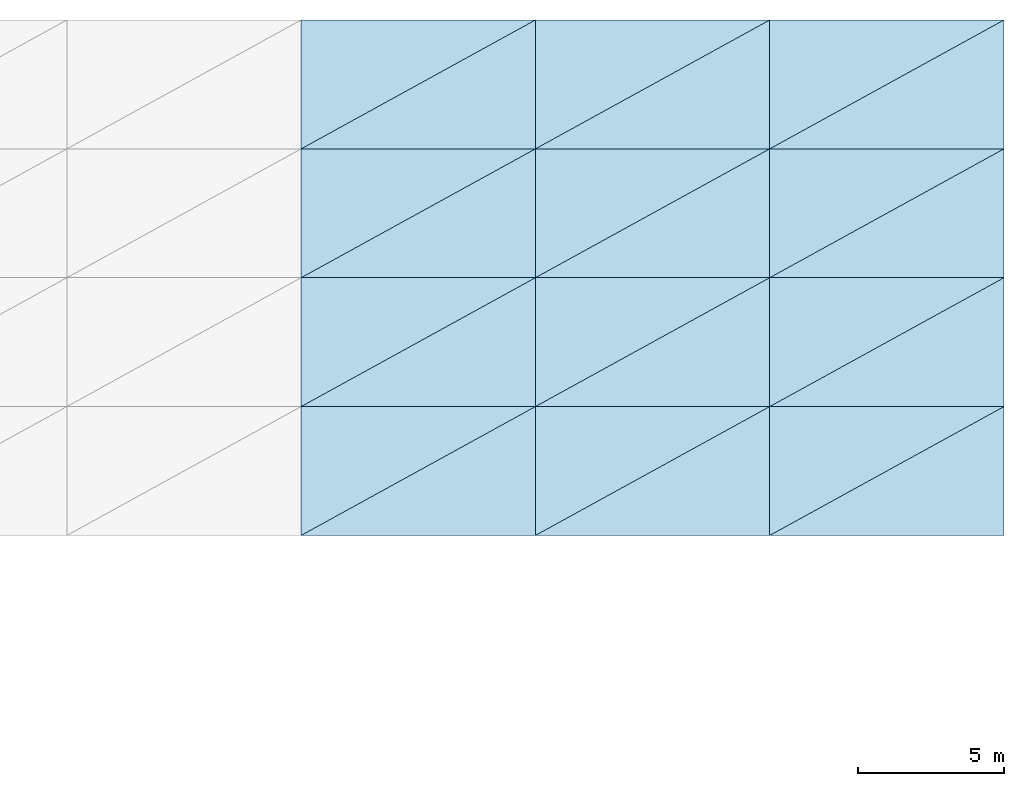
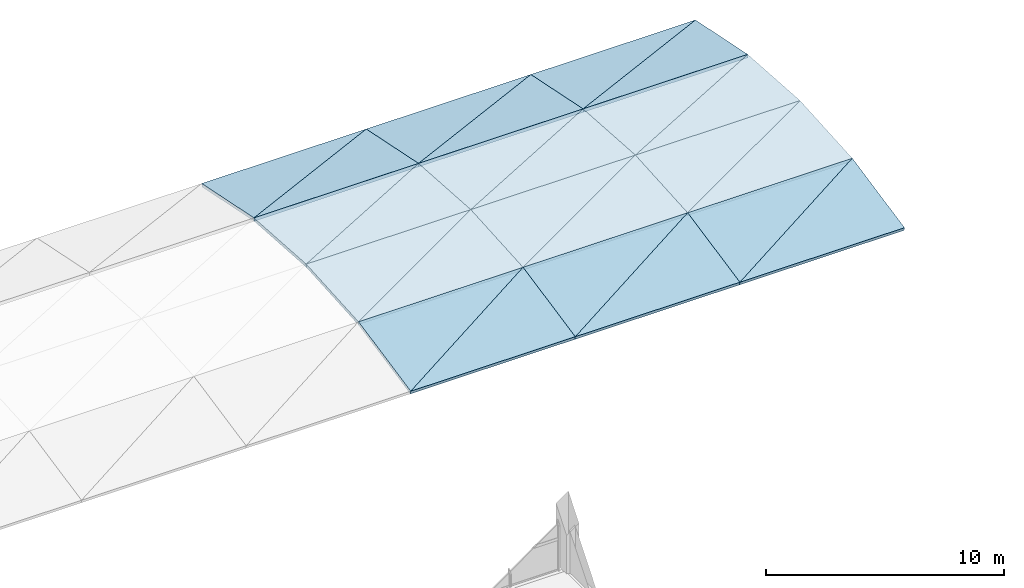
# One storey, part 57 of 65: 24 roofs.
"""IFC4 building model written with IfcOpenShell, lengths in metres."""

from ifc_helpers import new_model, si_unit, direction, frame, origin, place, context, subcontext, project, spatial, polyline, outline, extrude, material, layer, layer_set, type_object, element, save


model = new_model("IFC4")

# Units and contexts
model_context = context("Model", 3, precision=1e-05, world=origin(), true_north=direction((0.0, 1.0)))
body_context = subcontext(model_context, "Body", "Model", "MODEL_VIEW")
ifc_project = project(units=[si_unit("LENGTHUNIT", "METRE"), si_unit("AREAUNIT", "SQUARE_METRE"), si_unit("VOLUMEUNIT", "CUBIC_METRE"), si_unit("PLANEANGLEUNIT", "RADIAN"), si_unit("MASSUNIT", "GRAM", prefix="KILO")], contexts=[model_context])

# Site, building, storey
site_placement = place(None, origin())
site = spatial("IfcSite", under=ifc_project, at=site_placement, CompositionType="ELEMENT")
building_placement = place(site_placement, origin())
building = spatial("IfcBuilding", under=site, at=building_placement, Name="Varnabhumi Central Station", CompositionType="ELEMENT")
storey_placement = place(building_placement, frame((0.0, 0.0, 24.60009765625)))
storey = spatial("IfcBuildingStorey", under=building, at=storey_placement, Name="L05", CompositionType="ELEMENT", Elevation=24.60009765625)

# Roofs
ifc_material = material(Name="Champagne bronze diamond metal panel")
ifc_layer = layer(ifc_material, 0.159912109375, Name="Champagne bronze diamond metal panel")
ifc_layer_set = layer_set([ifc_layer], Name="Champagne bronze diamond metal panel")
roof_type = type_object("IfcRoofType", Name="ROOF-VAULT-BARREL", PredefinedType="BARREL_ROOF", material=ifc_layer_set)
roof_1_placement = place(storey_placement, frame((160.0, 49.199951171875, 1.028076171875), z_axis=(0.0, -0.200838486367, 0.979624368007), x_axis=(1.0, 0.0, 0.0)))
element("IfcRoof", 1, at=roof_1_placement, inside=storey, type_object=roof_type, Name="Platform Train-Shed Vault Diamond Shell Panel 5-4A", PredefinedType="BARREL_ROOF", context=body_context, shape_type="SweptSolid", body=[
    extrude(outline(polyline([(0.0, 0.0), (8.0, 0.0), (8.0, 4.491667038994787), (0.0, 0.0)])), origin(), (0.0, 0.0, -1.0), 0.159912109375),
])
roof_2_placement = place(storey_placement, frame((160.0, 49.199951171875, 1.028076171875), z_axis=(0.0, -0.200838486367, 0.979624368007), x_axis=(0.871963360953, 0.47959581465, 0.098324725913)))
element("IfcRoof", 2, at=roof_2_placement, inside=storey, type_object=roof_type, Name="Platform Train-Shed Vault Diamond Shell Panel 5-4B", PredefinedType="BARREL_ROOF", context=body_context, shape_type="SweptSolid", body=[
    extrude(outline(polyline([(0.0, 0.0), (9.174697422214654, -2.7755575615628914e-17), (2.1989905345916245, 3.916569087603159), (0.0, 0.0)])), origin(), (0.0, 0.0, -1.0), 0.159912109375),
])
roof_3_placement = place(storey_placement, frame((160.0, 53.60009765625, 1.92724609375), z_axis=(0.0, -0.067375131957, 0.997727714155), x_axis=(1.0, 0.0, 0.0)))
element("IfcRoof", 3, at=roof_3_placement, inside=storey, type_object=roof_type, Name="Platform Train-Shed Vault Diamond Shell Panel 5-5A", PredefinedType="BARREL_ROOF", context=body_context, shape_type="SweptSolid", body=[
    extrude(outline(polyline([(0.0, 0.0), (8.0, 0.0), (8.0, 4.409922949243272), (0.0, 0.0)])), origin(), (0.0, 0.0, -1.0), 0.159912109375),
])
roof_4_placement = place(storey_placement, frame((160.0, 53.60009765625, 1.92724609375), z_axis=(0.0, -0.067375131957, 0.997727714155), x_axis=(0.875756821788, 0.481655561592, 0.032525514286)))
element("IfcRoof", 4, at=roof_4_placement, inside=storey, type_object=roof_type, Name="Platform Train-Shed Vault Diamond Shell Panel 5-5B", PredefinedType="BARREL_ROOF", context=body_context, shape_type="SweptSolid", body=[
    extrude(outline(polyline([(0.0, 0.0), (9.13495596148457, 5.585809592645319e-16), (2.1289013871832587, 3.86202010635777), (0.0, 0.0)])), origin(), (0.0, 0.0, -1.0), 0.159912109375),
])
roof_5_placement = place(storey_placement, frame((160.0, 58.0, 2.224365234375), z_axis=(0.0, 0.067375131957, 0.997727714155), x_axis=(1.0, 0.0, 0.0)))
element("IfcRoof", 5, at=roof_5_placement, inside=storey, type_object=roof_type, Name="Platform Train-Shed Vault Diamond Shell Panel 5-6A", PredefinedType="BARREL_ROOF", context=body_context, shape_type="SweptSolid", body=[
    extrude(outline(polyline([(0.0, 0.0), (8.0, 0.0), (8.0, 4.409922949243272), (0.0, 0.0)])), origin(), (0.0, 0.0, -1.0), 0.159912109375),
])
roof_6_placement = place(storey_placement, frame((160.0, 58.0, 2.224365234375), z_axis=(0.0, 0.067375131957, 0.997727714155), x_axis=(0.875756821788, 0.481655561592, -0.032525514286)))
element("IfcRoof", 6, at=roof_6_placement, inside=storey, type_object=roof_type, Name="Platform Train-Shed Vault Diamond Shell Panel 5-6B", PredefinedType="BARREL_ROOF", context=body_context, shape_type="SweptSolid", body=[
    extrude(outline(polyline([(0.0, 0.0), (9.13495596148457, 5.585809592645319e-16), (2.1289013871832587, 3.86202010635777), (0.0, 0.0)])), origin(), (0.0, 0.0, -1.0), 0.159912109375),
])
roof_7_placement = place(storey_placement, frame((160.0, 62.39990234375, 1.93017578125), z_axis=(0.0, 0.200838486367, 0.979624368007), x_axis=(1.0, 0.0, 0.0)))
element("IfcRoof", 7, at=roof_7_placement, inside=storey, type_object=roof_type, Name="Platform Train-Shed Vault Diamond Shell Panel 5-7A", PredefinedType="BARREL_ROOF", context=body_context, shape_type="SweptSolid", body=[
    extrude(outline(polyline([(0.0, 0.0), (8.0, 0.0), (8.0, 4.491667038994787), (0.0, 0.0)])), origin(), (0.0, 0.0, -1.0), 0.159912109375),
])
roof_8_placement = place(storey_placement, frame((160.0, 62.39990234375, 1.93017578125), z_axis=(0.0, 0.200838486367, 0.979624368007), x_axis=(0.871963360953, 0.47959581465, -0.098324725913)))
element("IfcRoof", 8, at=roof_8_placement, inside=storey, type_object=roof_type, Name="Platform Train-Shed Vault Diamond Shell Panel 5-7B", PredefinedType="BARREL_ROOF", context=body_context, shape_type="SweptSolid", body=[
    extrude(outline(polyline([(0.0, 0.0), (9.174697422214654, -2.7755575615628914e-17), (2.1989905345916245, 3.916569087603159), (0.0, 0.0)])), origin(), (0.0, 0.0, -1.0), 0.159912109375),
])
roof_9_placement = place(storey_placement, frame((168.0, 49.199951171875, 1.028076171875), z_axis=(0.0, -0.200838486367, 0.979624368007), x_axis=(1.0, 0.0, 0.0)))
element("IfcRoof", 9, at=roof_9_placement, inside=storey, type_object=roof_type, Name="Platform Train-Shed Vault Diamond Shell Panel 6-4A", PredefinedType="BARREL_ROOF", context=body_context, shape_type="SweptSolid", body=[
    extrude(outline(polyline([(0.0, 0.0), (8.0, 0.0), (8.0, 4.491667038994787), (0.0, 0.0)])), origin(), (0.0, 0.0, -1.0), 0.159912109375),
])
roof_10_placement = place(storey_placement, frame((168.0, 49.199951171875, 1.028076171875), z_axis=(0.0, -0.200838486367, 0.979624368007), x_axis=(0.871963360953, 0.47959581465, 0.098324725913)))
element("IfcRoof", 10, at=roof_10_placement, inside=storey, type_object=roof_type, Name="Platform Train-Shed Vault Diamond Shell Panel 6-4B", PredefinedType="BARREL_ROOF", context=body_context, shape_type="SweptSolid", body=[
    extrude(outline(polyline([(0.0, 0.0), (9.174697422214654, -2.7755575615628914e-17), (2.1989905345916245, 3.916569087603159), (0.0, 0.0)])), origin(), (0.0, 0.0, -1.0), 0.159912109375),
])
roof_11_placement = place(storey_placement, frame((168.0, 53.60009765625, 1.92724609375), z_axis=(0.0, -0.067375131957, 0.997727714155), x_axis=(1.0, 0.0, 0.0)))
element("IfcRoof", 11, at=roof_11_placement, inside=storey, type_object=roof_type, Name="Platform Train-Shed Vault Diamond Shell Panel 6-5A", PredefinedType="BARREL_ROOF", context=body_context, shape_type="SweptSolid", body=[
    extrude(outline(polyline([(0.0, 0.0), (8.0, 0.0), (8.0, 4.409922949243272), (0.0, 0.0)])), origin(), (0.0, 0.0, -1.0), 0.159912109375),
])
roof_12_placement = place(storey_placement, frame((168.0, 53.60009765625, 1.92724609375), z_axis=(0.0, -0.067375131957, 0.997727714155), x_axis=(0.875756821788, 0.481655561592, 0.032525514286)))
element("IfcRoof", 12, at=roof_12_placement, inside=storey, type_object=roof_type, Name="Platform Train-Shed Vault Diamond Shell Panel 6-5B", PredefinedType="BARREL_ROOF", context=body_context, shape_type="SweptSolid", body=[
    extrude(outline(polyline([(0.0, 0.0), (9.13495596148457, 5.585809592645319e-16), (2.1289013871832587, 3.86202010635777), (0.0, 0.0)])), origin(), (0.0, 0.0, -1.0), 0.159912109375),
])
roof_13_placement = place(storey_placement, frame((168.0, 58.0, 2.224365234375), z_axis=(0.0, 0.067375131957, 0.997727714155), x_axis=(1.0, 0.0, 0.0)))
element("IfcRoof", 13, at=roof_13_placement, inside=storey, type_object=roof_type, Name="Platform Train-Shed Vault Diamond Shell Panel 6-6A", PredefinedType="BARREL_ROOF", context=body_context, shape_type="SweptSolid", body=[
    extrude(outline(polyline([(0.0, 0.0), (8.0, 0.0), (8.0, 4.409922949243272), (0.0, 0.0)])), origin(), (0.0, 0.0, -1.0), 0.159912109375),
])
roof_14_placement = place(storey_placement, frame((168.0, 58.0, 2.224365234375), z_axis=(0.0, 0.067375131957, 0.997727714155), x_axis=(0.875756821788, 0.481655561592, -0.032525514286)))
element("IfcRoof", 14, at=roof_14_placement, inside=storey, type_object=roof_type, Name="Platform Train-Shed Vault Diamond Shell Panel 6-6B", PredefinedType="BARREL_ROOF", context=body_context, shape_type="SweptSolid", body=[
    extrude(outline(polyline([(0.0, 0.0), (9.13495596148457, 5.585809592645319e-16), (2.1289013871832587, 3.86202010635777), (0.0, 0.0)])), origin(), (0.0, 0.0, -1.0), 0.159912109375),
])
roof_15_placement = place(storey_placement, frame((168.0, 62.39990234375, 1.93017578125), z_axis=(0.0, 0.200838486367, 0.979624368007), x_axis=(1.0, 0.0, 0.0)))
element("IfcRoof", 15, at=roof_15_placement, inside=storey, type_object=roof_type, Name="Platform Train-Shed Vault Diamond Shell Panel 6-7A", PredefinedType="BARREL_ROOF", context=body_context, shape_type="SweptSolid", body=[
    extrude(outline(polyline([(0.0, 0.0), (8.0, 0.0), (8.0, 4.491667038994787), (0.0, 0.0)])), origin(), (0.0, 0.0, -1.0), 0.159912109375),
])
roof_16_placement = place(storey_placement, frame((168.0, 62.39990234375, 1.93017578125), z_axis=(0.0, 0.200838486367, 0.979624368007), x_axis=(0.871963360953, 0.47959581465, -0.098324725913)))
element("IfcRoof", 16, at=roof_16_placement, inside=storey, type_object=roof_type, Name="Platform Train-Shed Vault Diamond Shell Panel 6-7B", PredefinedType="BARREL_ROOF", context=body_context, shape_type="SweptSolid", body=[
    extrude(outline(polyline([(0.0, 0.0), (9.174697422214654, -2.7755575615628914e-17), (2.1989905345916245, 3.916569087603159), (0.0, 0.0)])), origin(), (0.0, 0.0, -1.0), 0.159912109375),
])
roof_17_placement = place(storey_placement, frame((176.0, 49.199951171875, 1.028076171875), z_axis=(0.0, -0.200838486367, 0.979624368007), x_axis=(1.0, 0.0, 0.0)))
element("IfcRoof", 17, at=roof_17_placement, inside=storey, type_object=roof_type, Name="Platform Train-Shed Vault Diamond Shell Panel 7-4A", PredefinedType="BARREL_ROOF", context=body_context, shape_type="SweptSolid", body=[
    extrude(outline(polyline([(0.0, 0.0), (8.0, 0.0), (8.0, 4.491667038994787), (0.0, 0.0)])), origin(), (0.0, 0.0, -1.0), 0.159912109375),
])
roof_18_placement = place(storey_placement, frame((176.0, 49.199951171875, 1.028076171875), z_axis=(0.0, -0.200838486367, 0.979624368007), x_axis=(0.871963360953, 0.47959581465, 0.098324725913)))
element("IfcRoof", 18, at=roof_18_placement, inside=storey, type_object=roof_type, Name="Platform Train-Shed Vault Diamond Shell Panel 7-4B", PredefinedType="BARREL_ROOF", context=body_context, shape_type="SweptSolid", body=[
    extrude(outline(polyline([(0.0, 0.0), (9.174697422214654, -2.7755575615628914e-17), (2.1989905345916245, 3.916569087603159), (0.0, 0.0)])), origin(), (0.0, 0.0, -1.0), 0.159912109375),
])
roof_19_placement = place(storey_placement, frame((176.0, 53.60009765625, 1.92724609375), z_axis=(0.0, -0.067375131957, 0.997727714155), x_axis=(1.0, 0.0, 0.0)))
element("IfcRoof", 19, at=roof_19_placement, inside=storey, type_object=roof_type, Name="Platform Train-Shed Vault Diamond Shell Panel 7-5A", PredefinedType="BARREL_ROOF", context=body_context, shape_type="SweptSolid", body=[
    extrude(outline(polyline([(0.0, 0.0), (8.0, 0.0), (8.0, 4.409922949243272), (0.0, 0.0)])), origin(), (0.0, 0.0, -1.0), 0.159912109375),
])
roof_20_placement = place(storey_placement, frame((176.0, 53.60009765625, 1.92724609375), z_axis=(0.0, -0.067375131957, 0.997727714155), x_axis=(0.875756821788, 0.481655561592, 0.032525514286)))
element("IfcRoof", 20, at=roof_20_placement, inside=storey, type_object=roof_type, Name="Platform Train-Shed Vault Diamond Shell Panel 7-5B", PredefinedType="BARREL_ROOF", context=body_context, shape_type="SweptSolid", body=[
    extrude(outline(polyline([(0.0, 0.0), (9.13495596148457, 5.585809592645319e-16), (2.1289013871832587, 3.86202010635777), (0.0, 0.0)])), origin(), (0.0, 0.0, -1.0), 0.159912109375),
])
roof_21_placement = place(storey_placement, frame((176.0, 58.0, 2.224365234375), z_axis=(0.0, 0.067375131957, 0.997727714155), x_axis=(1.0, 0.0, 0.0)))
element("IfcRoof", 21, at=roof_21_placement, inside=storey, type_object=roof_type, Name="Platform Train-Shed Vault Diamond Shell Panel 7-6A", PredefinedType="BARREL_ROOF", context=body_context, shape_type="SweptSolid", body=[
    extrude(outline(polyline([(0.0, 0.0), (8.0, 0.0), (8.0, 4.409922949243272), (0.0, 0.0)])), origin(), (0.0, 0.0, -1.0), 0.159912109375),
])
roof_22_placement = place(storey_placement, frame((176.0, 58.0, 2.224365234375), z_axis=(0.0, 0.067375131957, 0.997727714155), x_axis=(0.875756821788, 0.481655561592, -0.032525514286)))
element("IfcRoof", 22, at=roof_22_placement, inside=storey, type_object=roof_type, Name="Platform Train-Shed Vault Diamond Shell Panel 7-6B", PredefinedType="BARREL_ROOF", context=body_context, shape_type="SweptSolid", body=[
    extrude(outline(polyline([(0.0, 0.0), (9.13495596148457, 5.585809592645319e-16), (2.1289013871832587, 3.86202010635777), (0.0, 0.0)])), origin(), (0.0, 0.0, -1.0), 0.159912109375),
])
roof_23_placement = place(storey_placement, frame((176.0, 62.39990234375, 1.93017578125), z_axis=(0.0, 0.200838486367, 0.979624368007), x_axis=(1.0, 0.0, 0.0)))
element("IfcRoof", 23, at=roof_23_placement, inside=storey, type_object=roof_type, Name="Platform Train-Shed Vault Diamond Shell Panel 7-7A", PredefinedType="BARREL_ROOF", context=body_context, shape_type="SweptSolid", body=[
    extrude(outline(polyline([(0.0, 0.0), (8.0, 0.0), (8.0, 4.491667038994787), (0.0, 0.0)])), origin(), (0.0, 0.0, -1.0), 0.159912109375),
])
roof_24_placement = place(storey_placement, frame((176.0, 62.39990234375, 1.93017578125), z_axis=(0.0, 0.200838486367, 0.979624368007), x_axis=(0.871963360953, 0.47959581465, -0.098324725913)))
element("IfcRoof", 24, at=roof_24_placement, inside=storey, type_object=roof_type, Name="Platform Train-Shed Vault Diamond Shell Panel 7-7B", PredefinedType="BARREL_ROOF", context=body_context, shape_type="SweptSolid", body=[
    extrude(outline(polyline([(0.0, 0.0), (9.174697422214654, -2.7755575615628914e-17), (2.1989905345916245, 3.916569087603159), (0.0, 0.0)])), origin(), (0.0, 0.0, -1.0), 0.159912109375),
])

save(model, "model.ifc")
